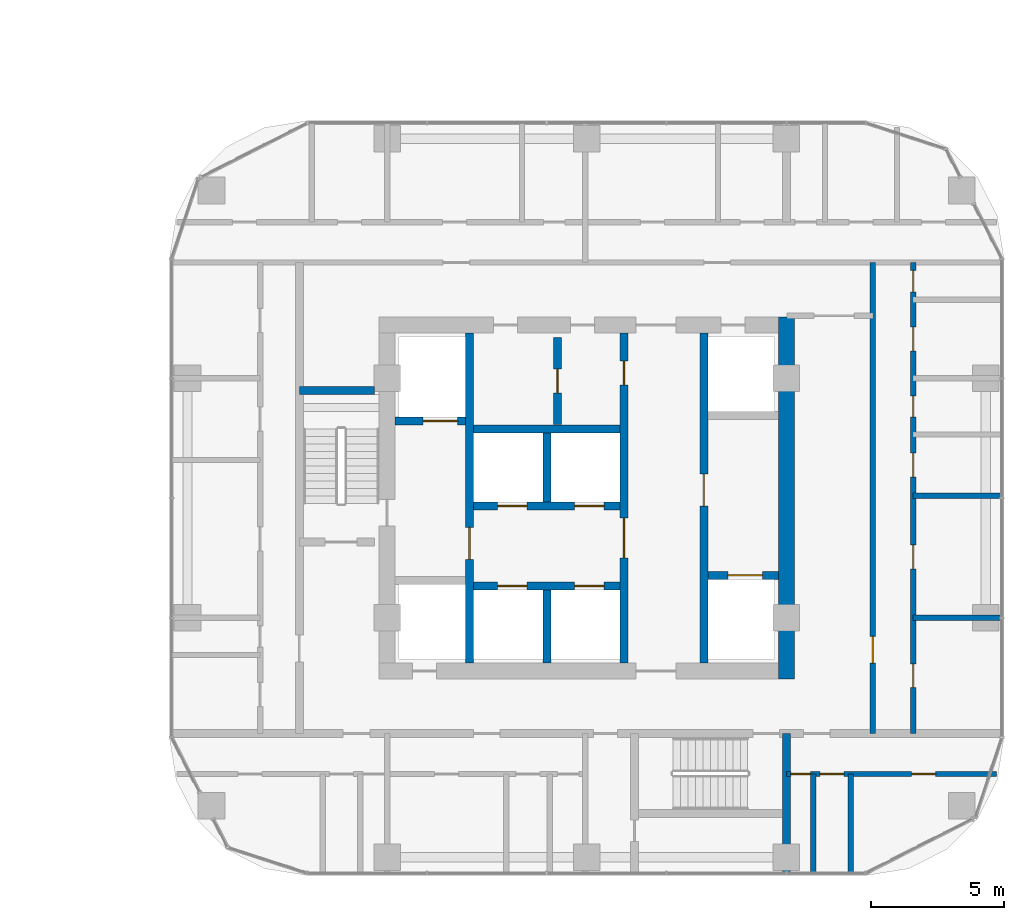
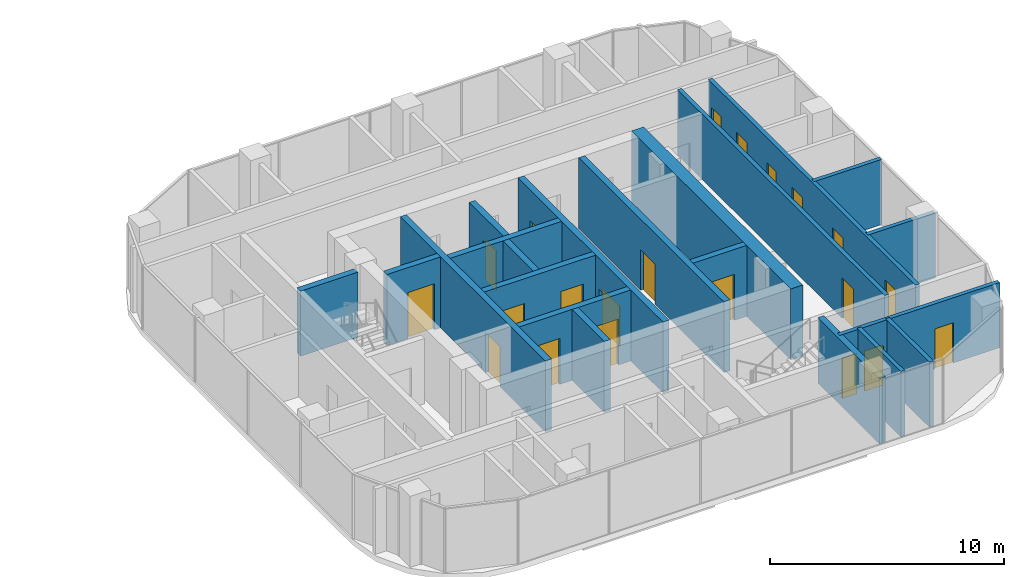
# One storey, part 22 of 31: 21 doors, 21 walls, 21 openings.
"""IFC4 building model written with IfcOpenShell, lengths in metres."""

from ifc_helpers import new_model, si_unit, direction, frame, frame_2d, origin, place, context, subcontext, project, spatial, rectangle, extrude, material, layer, layer_set, type_object, element, fill, save


model = new_model("IFC4")

# Units and contexts
model_context = context("Model", 3, precision=1e-05, world=origin(), true_north=direction((0.0, 1.0)))
body_context = subcontext(model_context, "Body", "Model", "MODEL_VIEW")
ifc_project = project(units=[si_unit("LENGTHUNIT", "METRE"), si_unit("AREAUNIT", "SQUARE_METRE"), si_unit("VOLUMEUNIT", "CUBIC_METRE"), si_unit("PLANEANGLEUNIT", "RADIAN"), si_unit("MASSUNIT", "GRAM", prefix="KILO")], contexts=[model_context])

# Site, building, storey
site_placement = place(None, origin())
site = spatial("IfcSite", under=ifc_project, at=site_placement, CompositionType="ELEMENT")
building_placement = place(site_placement, origin())
building = spatial("IfcBuilding", under=site, at=building_placement, Name="Ogive Portal Towers", CompositionType="ELEMENT")
storey_placement = place(building_placement, frame((0.0, 0.0, 40.89990234375)))
storey = spatial("IfcBuildingStorey", under=building, at=storey_placement, Name="L08", CompositionType="ELEMENT", Elevation=40.89990234375)

# Wall, opening, door
ifc_material_1 = material(Name="Concrete C60/75", Category="concrete")
ifc_layer_1 = layer(ifc_material_1, 0.300048828125)
ifc_layer_set_1 = layer_set([ifc_layer_1], Name="CORE WALL 300 C60")
wall_type_1 = type_object("IfcWallType", Name="CORE WALL 300 C60", PredefinedType="SHEAR", material=ifc_layer_set_1)
wall_1_placement = place(storey_placement, frame((132.10009765625, 24.800048828125, 0.0), z_axis=(0.0, 0.0, 1.0), x_axis=(0.0, 1.0, 0.0)))
wall_1 = element("IfcWall", 1, at=wall_1_placement, inside=storey, type_object=wall_type_1, Name="Tower B core wall BX1 L08", PredefinedType="SHEAR", context=body_context, shape_type="SweptSolid", body=[
    extrude(rectangle(XDim=12.39990234375, YDim=0.300048828125, at=frame_2d((6.199951171875, 0.0))), origin(), (0.0, 0.0, 1.0), 3.7001953125),
])
opening_1_placement = place(wall_1_placement, frame((3.89990234375, 0.0, 0.0)))
opening_1 = element("IfcOpeningElement", 2, at=opening_1_placement, cuts=wall_1, Name="Opening B01-044", PredefinedType="OPENING", context=body_context, shape_type="SweptSolid", body=[
    extrude(rectangle(XDim=1.199951171875, YDim=2.10009765625, at=frame_2d((0.60009765625, 1.050048828125))), frame((0.0, 0.16015625, 0.0), z_axis=(0.0, -1.0, 0.0), x_axis=(1.0, 0.0, 0.0)), (0.0, 0.0, 1.0), 0.320068359375),
])
ifc_material_2 = material(Name="Steel fire door", Category="steel")
door_type_1 = type_object("IfcDoorType", Name="DT-SWING-1200x2100-FD90S", OperationType="SINGLE_SWING_LEFT", PredefinedType="DOOR", material=ifc_material_2)
door_1_placement = place(opening_1_placement, origin())
door_1 = element("IfcDoor", 3, at=door_1_placement, inside=storey, type_object=door_type_1, Name="Door B01-044", OperationType="SINGLE_SWING_LEFT", OverallHeight=2.10009765625, OverallWidth=1.199951171875, PredefinedType="DOOR", context=body_context, shape_type="SweptSolid", body=[
    extrude(rectangle(XDim=1.199951171875, YDim=2.10009765625, at=frame_2d((0.60009765625, 1.050048828125))), frame((0.0, 0.02490234375, 0.0), z_axis=(0.0, -1.0, 0.0), x_axis=(1.0, 0.0, 0.0)), (0.0, 0.0, 1.0), 0.050048828125),
])
fill(opening_1, door_1)

# Wall, openings, doors
wall_2_placement = place(storey_placement, frame((137.89990234375, 24.800048828125, 0.0), z_axis=(0.0, 0.0, 1.0), x_axis=(0.0, 1.0, 0.0)))
wall_2 = element("IfcWall", 4, at=wall_2_placement, inside=storey, type_object=wall_type_1, Name="Tower B core wall BX2 L08", PredefinedType="SHEAR", context=body_context, shape_type="SweptSolid", body=[
    extrude(rectangle(XDim=12.39990234375, YDim=0.300048828125, at=frame_2d((6.199951171875, 0.0))), origin(), (0.0, 0.0, 1.0), 3.7001953125),
])
opening_2_placement = place(wall_2_placement, frame((3.949951171875, 0.0, 0.0)))
opening_2 = element("IfcOpeningElement", 5, at=opening_2_placement, cuts=wall_2, Name="Opening B01-043", PredefinedType="OPENING", context=body_context, shape_type="SweptSolid", body=[
    extrude(rectangle(XDim=1.5, YDim=2.10009765625, at=frame_2d((0.75, 1.050048828125))), frame((0.0, 0.16015625, 0.0), z_axis=(0.0, -1.0, 0.0), x_axis=(1.0, 0.0, 0.0)), (0.0, 0.0, 1.0), 0.320068359375),
])
opening_3_placement = place(wall_2_placement, frame((10.449951171875, 0.0, 0.0)))
opening_3 = element("IfcOpeningElement", 6, at=opening_3_placement, cuts=wall_2, Name="Opening B01-059", PredefinedType="OPENING", context=body_context, shape_type="SweptSolid", body=[
    extrude(rectangle(XDim=0.89990234375, YDim=2.10009765625, at=frame_2d((0.449951171875, 1.050048828125))), frame((0.0, 0.16015625, 0.0), z_axis=(0.0, -1.0, 0.0), x_axis=(1.0, 0.0, 0.0)), (0.0, 0.0, 1.0), 0.320068359375),
])
door_type_2 = type_object("IfcDoorType", Name="DT-SWING-1500x2100-FD90S", OperationType="SINGLE_SWING_LEFT", PredefinedType="DOOR", material=ifc_material_2)
door_2_placement = place(opening_2_placement, origin())
door_2 = element("IfcDoor", 7, at=door_2_placement, inside=storey, type_object=door_type_2, Name="Door B01-043", OperationType="SINGLE_SWING_RIGHT", OverallHeight=2.10009765625, OverallWidth=1.5, PredefinedType="DOOR", context=body_context, shape_type="SweptSolid", body=[
    extrude(rectangle(XDim=1.5, YDim=2.10009765625, at=frame_2d((0.75, 1.050048828125))), frame((0.0, 0.02490234375, 0.0), z_axis=(0.0, -1.0, 0.0), x_axis=(1.0, 0.0, 0.0)), (0.0, 0.0, 1.0), 0.050048828125),
])
fill(opening_2, door_2)
door_type_3 = type_object("IfcDoorType", Name="DT-SWING-900x2100-FD90S", OperationType="SINGLE_SWING_LEFT", PredefinedType="DOOR", material=ifc_material_2)
door_3_placement = place(opening_3_placement, origin())
door_3 = element("IfcDoor", 8, at=door_3_placement, inside=storey, type_object=door_type_3, Name="Door B01-059", OperationType="SINGLE_SWING_RIGHT", OverallHeight=2.10009765625, OverallWidth=0.89990234375, PredefinedType="DOOR", context=body_context, shape_type="SweptSolid", body=[
    extrude(rectangle(XDim=0.89990234375, YDim=2.10009765625, at=frame_2d((0.449951171875, 1.050048828125))), frame((0.0, 0.02490234375, 0.0), z_axis=(0.0, -1.0, 0.0), x_axis=(1.0, 0.0, 0.0)), (0.0, 0.0, 1.0), 0.050048828125),
])
fill(opening_3, door_3)

# Wall, opening, door
wall_3_placement = place(storey_placement, frame((140.89990234375, 24.800048828125, 0.0), z_axis=(0.0, 0.0, 1.0), x_axis=(0.0, 1.0, 0.0)))
wall_3 = element("IfcWall", 9, at=wall_3_placement, inside=storey, type_object=wall_type_1, Name="Tower B core wall BX3 L08", PredefinedType="SHEAR", context=body_context, shape_type="SweptSolid", body=[
    extrude(rectangle(XDim=12.39990234375, YDim=0.300048828125, at=frame_2d((6.199951171875, 0.0))), origin(), (0.0, 0.0, 1.0), 3.7001953125),
])
opening_4_placement = place(wall_3_placement, frame((5.89990234375, 0.0, 0.0)))
opening_4 = element("IfcOpeningElement", 10, at=opening_4_placement, cuts=wall_3, Name="Opening B01-045", PredefinedType="OPENING", context=body_context, shape_type="SweptSolid", body=[
    extrude(rectangle(XDim=1.199951171875, YDim=2.10009765625, at=frame_2d((0.60009765625, 1.050048828125))), frame((0.0, 0.16015625, 0.0), z_axis=(0.0, -1.0, 0.0), x_axis=(1.0, 0.0, 0.0)), (0.0, 0.0, 1.0), 0.320068359375),
])
door_4_placement = place(opening_4_placement, origin())
door_4 = element("IfcDoor", 11, at=door_4_placement, inside=storey, type_object=door_type_1, Name="Door B01-045", OperationType="SINGLE_SWING_RIGHT", OverallHeight=2.10009765625, OverallWidth=1.199951171875, PredefinedType="DOOR", context=body_context, shape_type="SweptSolid", body=[
    extrude(rectangle(XDim=1.199951171875, YDim=2.10009765625, at=frame_2d((0.60009765625, 1.050048828125))), frame((0.0, 0.02490234375, 0.0), z_axis=(0.0, -1.0, 0.0), x_axis=(1.0, 0.0, 0.0)), (0.0, 0.0, 1.0), 0.050048828125),
])
fill(opening_4, door_4)

# Walls
wall_4_placement = place(storey_placement, frame((135.0, 24.800048828125, 0.0), z_axis=(0.0, 0.0, 1.0), x_axis=(0.0, 1.0, 0.0)))
element("IfcWall", 12, at=wall_4_placement, inside=storey, type_object=wall_type_1, Name="Tower B core wall BX4 L08", PredefinedType="SHEAR", context=body_context, shape_type="SweptSolid", body=[
    extrude(rectangle(XDim=2.75, YDim=0.300048828125, at=frame_2d((1.375, 0.0))), origin(), (0.0, 0.0, 1.0), 3.7001953125),
])
wall_5_placement = place(storey_placement, frame((135.0, 30.85009765625, 0.0), z_axis=(0.0, 0.0, 1.0), x_axis=(0.0, 1.0, 0.0)))
element("IfcWall", 13, at=wall_5_placement, inside=storey, type_object=wall_type_1, Name="Tower B core wall BX5 L08", PredefinedType="SHEAR", context=body_context, shape_type="SweptSolid", body=[
    extrude(rectangle(XDim=2.599853515625, YDim=0.300048828125, at=frame_2d((1.2998046875, 0.0))), origin(), (0.0, 0.0, 1.0), 3.7001953125),
])

# Wall, openings, doors
wall_6_placement = place(storey_placement, frame((132.25, 27.699951171875, 0.0), z_axis=(0.0, 0.0, 1.0), x_axis=(1.0, 0.0, 0.0)))
wall_6 = element("IfcWall", 14, at=wall_6_placement, inside=storey, type_object=wall_type_1, Name="Tower B core wall BY1 L08", PredefinedType="SHEAR", context=body_context, shape_type="SweptSolid", body=[
    extrude(rectangle(XDim=5.5, YDim=0.300048828125, at=frame_2d((2.75, 0.0))), origin(), (0.0, 0.0, 1.0), 3.7001953125),
])
opening_5_placement = place(wall_6_placement, frame((0.89990234375, 0.0, 0.0)))
opening_5 = element("IfcOpeningElement", 15, at=opening_5_placement, cuts=wall_6, Name="Opening B01-051", PredefinedType="OPENING", context=body_context, shape_type="SweptSolid", body=[
    extrude(rectangle(XDim=1.10009765625, YDim=2.39990234375, at=frame_2d((0.550048828125, 1.199951171875))), frame((0.0, 0.16015625, 0.0), z_axis=(0.0, -1.0, 0.0), x_axis=(1.0, 0.0, 0.0)), (0.0, 0.0, 1.0), 0.320068359375),
])
opening_6_placement = place(wall_6_placement, frame((3.800048828125, 0.0, 0.0)))
opening_6 = element("IfcOpeningElement", 16, at=opening_6_placement, cuts=wall_6, Name="Opening B01-052", PredefinedType="OPENING", context=body_context, shape_type="SweptSolid", body=[
    extrude(rectangle(XDim=1.10009765625, YDim=2.39990234375, at=frame_2d((0.550048828125, 1.199951171875))), frame((0.0, 0.16015625, 0.0), z_axis=(0.0, -1.0, 0.0), x_axis=(1.0, 0.0, 0.0)), (0.0, 0.0, 1.0), 0.320068359375),
])
ifc_material_3 = material(Name="Stainless steel", Category="steel")
door_type_4 = type_object("IfcDoorType", Name="DT-LD-1100x2400", OperationType="SLIDING_TO_LEFT", PredefinedType="DOOR", material=ifc_material_3)
door_5_placement = place(opening_5_placement, origin())
door_5 = element("IfcDoor", 17, at=door_5_placement, inside=storey, type_object=door_type_4, Name="Door B01-051", OperationType="SLIDING_TO_LEFT", OverallHeight=2.39990234375, OverallWidth=1.10009765625, PredefinedType="DOOR", context=body_context, shape_type="SweptSolid", body=[
    extrude(rectangle(XDim=1.10009765625, YDim=2.39990234375, at=frame_2d((0.550048828125, 1.199951171875))), frame((0.0, 0.02490234375, 0.0), z_axis=(0.0, -1.0, 0.0), x_axis=(1.0, 0.0, 0.0)), (0.0, 0.0, 1.0), 0.050048828125),
])
fill(opening_5, door_5)
door_6_placement = place(opening_6_placement, origin())
door_6 = element("IfcDoor", 18, at=door_6_placement, inside=storey, type_object=door_type_4, Name="Door B01-052", OperationType="SLIDING_TO_LEFT", OverallHeight=2.39990234375, OverallWidth=1.10009765625, PredefinedType="DOOR", context=body_context, shape_type="SweptSolid", body=[
    extrude(rectangle(XDim=1.10009765625, YDim=2.39990234375, at=frame_2d((0.550048828125, 1.199951171875))), frame((0.0, 0.02490234375, 0.0), z_axis=(0.0, -1.0, 0.0), x_axis=(1.0, 0.0, 0.0)), (0.0, 0.0, 1.0), 0.050048828125),
])
fill(opening_6, door_6)

wall_7_placement = place(storey_placement, frame((132.25, 30.699951171875, 0.0), z_axis=(0.0, 0.0, 1.0), x_axis=(1.0, 0.0, 0.0)))
wall_7 = element("IfcWall", 19, at=wall_7_placement, inside=storey, type_object=wall_type_1, Name="Tower B core wall BY2 L08", PredefinedType="SHEAR", context=body_context, shape_type="SweptSolid", body=[
    extrude(rectangle(XDim=5.5, YDim=0.300048828125, at=frame_2d((2.75, 0.0))), origin(), (0.0, 0.0, 1.0), 3.7001953125),
])
opening_7_placement = place(wall_7_placement, frame((0.89990234375, 0.0, 0.0)))
opening_7 = element("IfcOpeningElement", 20, at=opening_7_placement, cuts=wall_7, Name="Opening B01-053", PredefinedType="OPENING", context=body_context, shape_type="SweptSolid", body=[
    extrude(rectangle(XDim=1.10009765625, YDim=2.39990234375, at=frame_2d((0.550048828125, 1.199951171875))), frame((0.0, 0.16015625, 0.0), z_axis=(0.0, -1.0, 0.0), x_axis=(1.0, 0.0, 0.0)), (0.0, 0.0, 1.0), 0.320068359375),
])
opening_8_placement = place(wall_7_placement, frame((3.800048828125, 0.0, 0.0)))
opening_8 = element("IfcOpeningElement", 21, at=opening_8_placement, cuts=wall_7, Name="Opening B01-054", PredefinedType="OPENING", context=body_context, shape_type="SweptSolid", body=[
    extrude(rectangle(XDim=1.10009765625, YDim=2.39990234375, at=frame_2d((0.550048828125, 1.199951171875))), frame((0.0, 0.16015625, 0.0), z_axis=(0.0, -1.0, 0.0), x_axis=(1.0, 0.0, 0.0)), (0.0, 0.0, 1.0), 0.320068359375),
])
door_7_placement = place(opening_7_placement, origin())
door_7 = element("IfcDoor", 22, at=door_7_placement, inside=storey, type_object=door_type_4, Name="Door B01-053", OperationType="SLIDING_TO_LEFT", OverallHeight=2.39990234375, OverallWidth=1.10009765625, PredefinedType="DOOR", context=body_context, shape_type="SweptSolid", body=[
    extrude(rectangle(XDim=1.10009765625, YDim=2.39990234375, at=frame_2d((0.550048828125, 1.199951171875))), frame((0.0, 0.02490234375, 0.0), z_axis=(0.0, -1.0, 0.0), x_axis=(1.0, 0.0, 0.0)), (0.0, 0.0, 1.0), 0.050048828125),
])
fill(opening_7, door_7)
door_8_placement = place(opening_8_placement, origin())
door_8 = element("IfcDoor", 23, at=door_8_placement, inside=storey, type_object=door_type_4, Name="Door B01-054", OperationType="SLIDING_TO_LEFT", OverallHeight=2.39990234375, OverallWidth=1.10009765625, PredefinedType="DOOR", context=body_context, shape_type="SweptSolid", body=[
    extrude(rectangle(XDim=1.10009765625, YDim=2.39990234375, at=frame_2d((0.550048828125, 1.199951171875))), frame((0.0, 0.02490234375, 0.0), z_axis=(0.0, -1.0, 0.0), x_axis=(1.0, 0.0, 0.0)), (0.0, 0.0, 1.0), 0.050048828125),
])
fill(opening_8, door_8)

# Wall
wall_8_placement = place(storey_placement, frame((132.25, 33.60009765625, 0.0), z_axis=(0.0, 0.0, 1.0), x_axis=(1.0, 0.0, 0.0)))
element("IfcWall", 24, at=wall_8_placement, inside=storey, type_object=wall_type_1, Name="Tower B core wall BY3 L08", PredefinedType="SHEAR", context=body_context, shape_type="SweptSolid", body=[
    extrude(rectangle(XDim=5.5, YDim=0.300048828125, at=frame_2d((2.75, 0.0))), origin(), (0.0, 0.0, 1.0), 3.7001953125),
])

# Wall, opening, door
wall_9_placement = place(storey_placement, frame((129.300048828125, 33.89990234375, 0.0), z_axis=(0.0, 0.0, 1.0), x_axis=(1.0, 0.0, 0.0)))
wall_9 = element("IfcWall", 25, at=wall_9_placement, inside=storey, type_object=wall_type_1, Name="Tower B core wall BY5 L08", PredefinedType="SHEAR", context=body_context, shape_type="SweptSolid", body=[
    extrude(rectangle(XDim=2.64990234375, YDim=0.300048828125, at=frame_2d((1.324951171875, 0.0))), origin(), (0.0, 0.0, 1.0), 3.7001953125),
])
opening_9_placement = place(wall_9_placement, frame((1.050048828125, 0.0, 0.0)))
opening_9 = element("IfcOpeningElement", 26, at=opening_9_placement, cuts=wall_9, Name="Opening B01-055", PredefinedType="OPENING", context=body_context, shape_type="SweptSolid", body=[
    extrude(rectangle(XDim=1.300048828125, YDim=2.39990234375, at=frame_2d((0.64990234375, 1.199951171875))), frame((0.0, 0.16015625, 0.0), z_axis=(0.0, -1.0, 0.0), x_axis=(1.0, 0.0, 0.0)), (0.0, 0.0, 1.0), 0.320068359375),
])
door_type_5 = type_object("IfcDoorType", Name="DT-LD-1300x2400", OperationType="SLIDING_TO_LEFT", PredefinedType="DOOR", material=ifc_material_3)
door_9_placement = place(opening_9_placement, origin())
door_9 = element("IfcDoor", 27, at=door_9_placement, inside=storey, type_object=door_type_5, Name="Door B01-055", OperationType="SLIDING_TO_LEFT", OverallHeight=2.39990234375, OverallWidth=1.300048828125, PredefinedType="DOOR", context=body_context, shape_type="SweptSolid", body=[
    extrude(rectangle(XDim=1.300048828125, YDim=2.39990234375, at=frame_2d((0.64990234375, 1.199951171875))), frame((0.0, 0.02490234375, 0.0), z_axis=(0.0, -1.0, 0.0), x_axis=(1.0, 0.0, 0.0)), (0.0, 0.0, 1.0), 0.050048828125),
])
fill(opening_9, door_9)

wall_10_placement = place(storey_placement, frame((141.050048828125, 28.10009765625, 0.0), z_axis=(0.0, 0.0, 1.0), x_axis=(1.0, 0.0, 0.0)))
wall_10 = element("IfcWall", 28, at=wall_10_placement, inside=storey, type_object=wall_type_1, Name="Tower B core wall BY6 L08", PredefinedType="SHEAR", context=body_context, shape_type="SweptSolid", body=[
    extrude(rectangle(XDim=2.64990234375, YDim=0.300048828125, at=frame_2d((1.324951171875, 0.0))), origin(), (0.0, 0.0, 1.0), 3.7001953125),
])
opening_10_placement = place(wall_10_placement, frame((0.75, 0.0, 0.0)))
opening_10 = element("IfcOpeningElement", 29, at=opening_10_placement, cuts=wall_10, Name="Opening B01-056", PredefinedType="OPENING", context=body_context, shape_type="SweptSolid", body=[
    extrude(rectangle(XDim=1.300048828125, YDim=2.39990234375, at=frame_2d((0.64990234375, 1.199951171875))), frame((0.0, 0.16015625, 0.0), z_axis=(0.0, -1.0, 0.0), x_axis=(1.0, 0.0, 0.0)), (0.0, 0.0, 1.0), 0.320068359375),
])
door_10_placement = place(opening_10_placement, origin())
door_10 = element("IfcDoor", 30, at=door_10_placement, inside=storey, type_object=door_type_5, Name="Door B01-056", OperationType="SLIDING_TO_LEFT", OverallHeight=2.39990234375, OverallWidth=1.300048828125, PredefinedType="DOOR", context=body_context, shape_type="SweptSolid", body=[
    extrude(rectangle(XDim=1.300048828125, YDim=2.39990234375, at=frame_2d((0.64990234375, 1.199951171875))), frame((0.0, 0.02490234375, 0.0), z_axis=(0.0, -1.0, 0.0), x_axis=(1.0, 0.0, 0.0)), (0.0, 0.0, 1.0), 0.050048828125),
])
fill(opening_10, door_10)

# Walls
ifc_layer_2 = layer(ifc_material_1, 0.60009765625)
ifc_layer_set_2 = layer_set([ifc_layer_2], Name="CORE WALL 600 C60")
wall_type_2 = type_object("IfcWallType", Name="CORE WALL 600 C60", PredefinedType="SHEAR", material=ifc_layer_set_2)
wall_11_placement = place(storey_placement, frame((144.0, 24.199951171875, 0.0), z_axis=(0.0, 0.0, 1.0), x_axis=(0.0, 1.0, 0.0)))
element("IfcWall", 31, at=wall_11_placement, inside=storey, type_object=wall_type_2, Name="Tower B core wall BE L08", PredefinedType="SHEAR", context=body_context, shape_type="SweptSolid", body=[
    extrude(rectangle(XDim=13.60009765625, YDim=0.60009765625, at=frame_2d((6.800048828125, 0.0))), origin(), (0.0, 0.0, 1.0), 3.7001953125),
])
ifc_material_4 = material(Name="Concrete C50/60", Category="concrete")
ifc_layer_3 = layer(ifc_material_4, 0.300048828125)
ifc_layer_set_3 = layer_set([ifc_layer_3], Name="STAIR WALL 300 C50")
wall_type_3 = type_object("IfcWallType", Name="STAIR WALL 300 C50", PredefinedType="SHEAR", material=ifc_layer_set_3)
wall_12_placement = place(storey_placement, frame((125.699951171875, 35.050048828125, 0.0), z_axis=(0.0, 0.0, 1.0), x_axis=(1.0, 0.0, 0.0)))
element("IfcWall", 32, at=wall_12_placement, inside=storey, type_object=wall_type_3, Name="Stair wall ST-B1 L08", PredefinedType="SHEAR", context=body_context, shape_type="SweptSolid", body=[
    extrude(rectangle(XDim=2.830078125, YDim=0.300048828125, at=frame_2d((1.4150390625, 0.0))), origin(), (0.0, 0.0, 1.0), 3.400146484375),
])
wall_13_placement = place(storey_placement, frame((144.0, 16.889892578125, 0.0), z_axis=(0.0, 0.0, 1.0), x_axis=(0.0, 1.0, 0.0)))
element("IfcWall", 33, at=wall_13_placement, inside=storey, type_object=wall_type_3, Name="Stair wall ST-B2 L08", PredefinedType="SHEAR", context=body_context, shape_type="SweptSolid", body=[
    extrude(rectangle(XDim=5.260009765625, YDim=0.300048828125, at=frame_2d((2.6298828125, 0.0))), origin(), (0.0, 0.0, 1.0), 3.400146484375),
])

# Wall, openings, doors
ifc_material_5 = material(Name="Gypsum board partition on steel studs", Category="steel")
ifc_layer_4 = layer(ifc_material_5, 0.199951171875)
ifc_layer_set_4 = layer_set([ifc_layer_4], Name="WT-PART-200-EI 60")
wall_type_4 = type_object("IfcWallType", Name="WT-PART-200-EI 60", PredefinedType="PARTITIONING", material=ifc_layer_set_4)
wall_14_placement = place(storey_placement, frame((144.0, 20.6298828125, 0.0), z_axis=(0.0, 0.0, 1.0), x_axis=(1.0, 0.0, 0.0)))
wall_14 = element("IfcWall", 34, at=wall_14_placement, inside=storey, type_object=wall_type_4, Name="Wall L08:w003", PredefinedType="PARTITIONING", context=body_context, shape_type="SweptSolid", body=[
    extrude(rectangle(XDim=7.89208984375, YDim=0.199951171875, at=frame_2d((3.946044921875, 0.0))), origin(), (0.0, 0.0, 1.0), 3.400146484375),
])
opening_11_placement = place(wall_14_placement, frame((0.169921875, 0.0, 0.0)))
opening_11 = element("IfcOpeningElement", 35, at=opening_11_placement, cuts=wall_14, Name="Opening B01-025", PredefinedType="OPENING", context=body_context, shape_type="SweptSolid", body=[
    extrude(rectangle(XDim=0.73388671875, YDim=2.10009765625, at=frame_2d((0.366943359375, 1.050048828125))), frame((0.0, 0.10986328125, 0.0), z_axis=(0.0, -1.0, 0.0), x_axis=(1.0, 0.0, 0.0)), (0.0, 0.0, 1.0), 0.219970703125),
])
opening_12_placement = place(wall_14_placement, frame((1.264892578125, 0.0, 0.0)))
opening_12 = element("IfcOpeningElement", 36, at=opening_12_placement, cuts=wall_14, Name="Opening B01-026", PredefinedType="OPENING", context=body_context, shape_type="SweptSolid", body=[
    extrude(rectangle(XDim=0.89990234375, YDim=2.10009765625, at=frame_2d((0.449951171875, 1.050048828125))), frame((0.0, 0.10986328125, 0.0), z_axis=(0.0, -1.0, 0.0), x_axis=(1.0, 0.0, 0.0)), (0.0, 0.0, 1.0), 0.219970703125),
])
opening_13_placement = place(wall_14_placement, frame((4.7080078125, 0.0, 0.0)))
opening_13 = element("IfcOpeningElement", 37, at=opening_13_placement, cuts=wall_14, Name="Opening B01-027", PredefinedType="OPENING", context=body_context, shape_type="SweptSolid", body=[
    extrude(rectangle(XDim=0.89990234375, YDim=2.10009765625, at=frame_2d((0.449951171875, 1.050048828125))), frame((0.0, 0.10986328125, 0.0), z_axis=(0.0, -1.0, 0.0), x_axis=(1.0, 0.0, 0.0)), (0.0, 0.0, 1.0), 0.219970703125),
])
door_type_6 = type_object("IfcDoorType", Name="DT-SWING-734x2100-FD60S", OperationType="SINGLE_SWING_LEFT", PredefinedType="DOOR", material=ifc_material_2)
door_11_placement = place(opening_11_placement, origin())
door_11 = element("IfcDoor", 38, at=door_11_placement, inside=storey, type_object=door_type_6, Name="Door B01-025", OperationType="SINGLE_SWING_LEFT", OverallHeight=2.10009765625, OverallWidth=0.73388671875, PredefinedType="DOOR", context=body_context, shape_type="SweptSolid", body=[
    extrude(rectangle(XDim=0.73388671875, YDim=2.10009765625, at=frame_2d((0.366943359375, 1.050048828125))), frame((0.0, 0.02490234375, 0.0), z_axis=(0.0, -1.0, 0.0), x_axis=(1.0, 0.0, 0.0)), (0.0, 0.0, 1.0), 0.050048828125),
])
fill(opening_11, door_11)
door_type_7 = type_object("IfcDoorType", Name="DT-SWING-900x2100-FD60S", OperationType="SINGLE_SWING_LEFT", PredefinedType="DOOR", material=ifc_material_2)
door_12_placement = place(opening_12_placement, origin())
door_12 = element("IfcDoor", 39, at=door_12_placement, inside=storey, type_object=door_type_7, Name="Door B01-026", OperationType="SINGLE_SWING_RIGHT", OverallHeight=2.10009765625, OverallWidth=0.89990234375, PredefinedType="DOOR", context=body_context, shape_type="SweptSolid", body=[
    extrude(rectangle(XDim=0.89990234375, YDim=2.10009765625, at=frame_2d((0.449951171875, 1.050048828125))), frame((0.0, 0.02490234375, 0.0), z_axis=(0.0, -1.0, 0.0), x_axis=(1.0, 0.0, 0.0)), (0.0, 0.0, 1.0), 0.050048828125),
])
fill(opening_12, door_12)
door_13_placement = place(opening_13_placement, origin())
door_13 = element("IfcDoor", 40, at=door_13_placement, inside=storey, type_object=door_type_7, Name="Door B01-027", OperationType="SINGLE_SWING_LEFT", OverallHeight=2.10009765625, OverallWidth=0.89990234375, PredefinedType="DOOR", context=body_context, shape_type="SweptSolid", body=[
    extrude(rectangle(XDim=0.89990234375, YDim=2.10009765625, at=frame_2d((0.449951171875, 1.050048828125))), frame((0.0, 0.02490234375, 0.0), z_axis=(0.0, -1.0, 0.0), x_axis=(1.0, 0.0, 0.0)), (0.0, 0.0, 1.0), 0.050048828125),
])
fill(opening_13, door_13)

# Walls
for number, where, z_axis, x_axis, name in (
    (41, (148.77001953125, 26.5, 0.0), (0.0, 0.0, 1.0), (1.0, 0.0, 0.0), "Wall L08:w009"),
    (42, (148.77001953125, 31.091064453125, 0.0), (0.0, 0.0, 1.0), (1.0, 0.0, 0.0), "Wall L08:w011"),
):
    element("IfcWall", number, at=place(storey_placement, frame(where, z_axis=z_axis, x_axis=x_axis)), inside=storey, type_object=wall_type_4, Name=name, PredefinedType="PARTITIONING", context=body_context, shape_type="SweptSolid", body=[
        extrude(rectangle(XDim=3.340087890625, YDim=0.199951171875, at=frame_2d((1.669921875, 0.0))), origin(), (0.0, 0.0, 1.0), 3.400146484375),
    ])
for number, where, z_axis, x_axis, name in (
    (43, (145.009033203125, 16.889892578125, 0.0), (0.0, 0.0, 1.0), (0.0, 1.0, 0.0), "Wall L08:w043"),
    (44, (146.4208984375, 16.889892578125, 0.0), (0.0, 0.0, 1.0), (0.0, 1.0, 0.0), "Wall L08:w045"),
):
    element("IfcWall", number, at=place(storey_placement, frame(where, z_axis=z_axis, x_axis=x_axis)), inside=storey, type_object=wall_type_4, Name=name, PredefinedType="PARTITIONING", context=body_context, shape_type="SweptSolid", body=[
        extrude(rectangle(XDim=3.739990234375, YDim=0.199951171875, at=frame_2d((1.8701171875, 0.0))), origin(), (0.0, 0.0, 1.0), 3.400146484375),
    ])

# Wall, opening, door
wall_15_placement = place(storey_placement, frame((147.25, 22.14990234375, 0.0), z_axis=(0.0, 0.0, 1.0), x_axis=(0.0, 1.0, 0.0)))
wall_15 = element("IfcWall", 45, at=wall_15_placement, inside=storey, type_object=wall_type_4, Name="Wall L08:w046", PredefinedType="PARTITIONING", context=body_context, shape_type="SweptSolid", body=[
    extrude(rectangle(XDim=17.7001953125, YDim=0.199951171875, at=frame_2d((8.85009765625, 0.0))), origin(), (0.0, 0.0, 1.0), 3.400146484375),
])
opening_14_placement = place(wall_15_placement, frame((2.64990234375, 0.0, 0.0)))
opening_14 = element("IfcOpeningElement", 46, at=opening_14_placement, cuts=wall_15, Name="Opening B01-036", PredefinedType="OPENING", context=body_context, shape_type="SweptSolid", body=[
    extrude(rectangle(XDim=1.0, YDim=2.10009765625, at=frame_2d((0.5, 1.050048828125))), frame((0.0, 0.10986328125, 0.0), z_axis=(0.0, -1.0, 0.0), x_axis=(1.0, 0.0, 0.0)), (0.0, 0.0, 1.0), 0.219970703125),
])
door_type_8 = type_object("IfcDoorType", Name="DT-SWING-1000x2100-FD60S", OperationType="SINGLE_SWING_LEFT", PredefinedType="DOOR", material=ifc_material_2)
door_14_placement = place(opening_14_placement, origin())
door_14 = element("IfcDoor", 47, at=door_14_placement, inside=storey, type_object=door_type_8, Name="Door B01-036", OperationType="SINGLE_SWING_RIGHT", OverallHeight=2.10009765625, OverallWidth=1.0, PredefinedType="DOOR", context=body_context, shape_type="SweptSolid", body=[
    extrude(rectangle(XDim=1.0, YDim=2.10009765625, at=frame_2d((0.5, 1.050048828125))), frame((0.0, 0.02490234375, 0.0), z_axis=(0.0, -1.0, 0.0), x_axis=(1.0, 0.0, 0.0)), (0.0, 0.0, 1.0), 0.050048828125),
])
fill(opening_14, door_14)

# Wall, openings, doors
wall_16_placement = place(storey_placement, frame((148.77001953125, 22.14990234375, 0.0), z_axis=(0.0, 0.0, 1.0), x_axis=(0.0, 1.0, 0.0)))
wall_16 = element("IfcWall", 48, at=wall_16_placement, inside=storey, type_object=wall_type_4, Name="Wall L08:w048", PredefinedType="PARTITIONING", context=body_context, shape_type="SweptSolid", body=[
    extrude(rectangle(XDim=17.7001953125, YDim=0.199951171875, at=frame_2d((8.85009765625, 0.0))), origin(), (0.0, 0.0, 1.0), 3.400146484375),
])
opening_15_placement = place(wall_16_placement, frame((1.72509765625, 0.0, 0.0)))
opening_15 = element("IfcOpeningElement", 49, at=opening_15_placement, cuts=wall_16, Name="Opening B01-037", PredefinedType="OPENING", context=body_context, shape_type="SweptSolid", body=[
    extrude(rectangle(XDim=0.89990234375, YDim=2.10009765625, at=frame_2d((0.449951171875, 1.050048828125))), frame((0.0, 0.10986328125, 0.0), z_axis=(0.0, -1.0, 0.0), x_axis=(1.0, 0.0, 0.0)), (0.0, 0.0, 1.0), 0.219970703125),
])
opening_16_placement = place(wall_16_placement, frame((6.195068359375, 0.0, 0.0)))
opening_16 = element("IfcOpeningElement", 50, at=opening_16_placement, cuts=wall_16, Name="Opening B01-038", PredefinedType="OPENING", context=body_context, shape_type="SweptSolid", body=[
    extrude(rectangle(XDim=0.89990234375, YDim=2.10009765625, at=frame_2d((0.449951171875, 1.050048828125))), frame((0.0, 0.10986328125, 0.0), z_axis=(0.0, -1.0, 0.0), x_axis=(1.0, 0.0, 0.0)), (0.0, 0.0, 1.0), 0.219970703125),
])
opening_17_placement = place(wall_16_placement, frame((9.64111328125, 0.0, 0.0)))
opening_17 = element("IfcOpeningElement", 51, at=opening_17_placement, cuts=wall_16, Name="Opening B01-039", PredefinedType="OPENING", context=body_context, shape_type="SweptSolid", body=[
    extrude(rectangle(XDim=0.89990234375, YDim=2.10009765625, at=frame_2d((0.449951171875, 1.050048828125))), frame((0.0, 0.10986328125, 0.0), z_axis=(0.0, -1.0, 0.0), x_axis=(1.0, 0.0, 0.0)), (0.0, 0.0, 1.0), 0.219970703125),
])
opening_18_placement = place(wall_16_placement, frame((11.89501953125, 0.0, 0.0)))
opening_18 = element("IfcOpeningElement", 52, at=opening_18_placement, cuts=wall_16, Name="Opening B01-040", PredefinedType="OPENING", context=body_context, shape_type="SweptSolid", body=[
    extrude(rectangle(XDim=0.800048828125, YDim=2.10009765625, at=frame_2d((0.39990234375, 1.050048828125))), frame((0.0, 0.10986328125, 0.0), z_axis=(0.0, -1.0, 0.0), x_axis=(1.0, 0.0, 0.0)), (0.0, 0.0, 1.0), 0.219970703125),
])
opening_19_placement = place(wall_16_placement, frame((14.3779296875, 0.0, 0.0)))
opening_19 = element("IfcOpeningElement", 53, at=opening_19_placement, cuts=wall_16, Name="Opening B01-041", PredefinedType="OPENING", context=body_context, shape_type="SweptSolid", body=[
    extrude(rectangle(XDim=0.89990234375, YDim=2.10009765625, at=frame_2d((0.449951171875, 1.050048828125))), frame((0.0, 0.10986328125, 0.0), z_axis=(0.0, -1.0, 0.0), x_axis=(1.0, 0.0, 0.0)), (0.0, 0.0, 1.0), 0.219970703125),
])
opening_20_placement = place(wall_16_placement, frame((16.60302734375, 0.0, 0.0)))
opening_20 = element("IfcOpeningElement", 54, at=opening_20_placement, cuts=wall_16, Name="Opening B01-042", PredefinedType="OPENING", context=body_context, shape_type="SweptSolid", body=[
    extrude(rectangle(XDim=0.800048828125, YDim=2.10009765625, at=frame_2d((0.39990234375, 1.050048828125))), frame((0.0, 0.10986328125, 0.0), z_axis=(0.0, -1.0, 0.0), x_axis=(1.0, 0.0, 0.0)), (0.0, 0.0, 1.0), 0.219970703125),
])
door_type_9 = type_object("IfcDoorType", Name="DT-SWING-800x2100-FD60S", OperationType="SINGLE_SWING_LEFT", PredefinedType="DOOR", material=ifc_material_2)
door_15_placement = place(opening_18_placement, origin())
door_15 = element("IfcDoor", 55, at=door_15_placement, inside=storey, type_object=door_type_9, Name="Door B01-040", OperationType="SINGLE_SWING_RIGHT", OverallHeight=2.10009765625, OverallWidth=0.800048828125, PredefinedType="DOOR", context=body_context, shape_type="SweptSolid", body=[
    extrude(rectangle(XDim=0.800048828125, YDim=2.10009765625, at=frame_2d((0.39990234375, 1.050048828125))), frame((0.0, 0.02490234375, 0.0), z_axis=(0.0, -1.0, 0.0), x_axis=(1.0, 0.0, 0.0)), (0.0, 0.0, 1.0), 0.050048828125),
])
fill(opening_18, door_15)
door_16_placement = place(opening_20_placement, origin())
door_16 = element("IfcDoor", 56, at=door_16_placement, inside=storey, type_object=door_type_9, Name="Door B01-042", OperationType="SINGLE_SWING_RIGHT", OverallHeight=2.10009765625, OverallWidth=0.800048828125, PredefinedType="DOOR", context=body_context, shape_type="SweptSolid", body=[
    extrude(rectangle(XDim=0.800048828125, YDim=2.10009765625, at=frame_2d((0.39990234375, 1.050048828125))), frame((0.0, 0.02490234375, 0.0), z_axis=(0.0, -1.0, 0.0), x_axis=(1.0, 0.0, 0.0)), (0.0, 0.0, 1.0), 0.050048828125),
])
fill(opening_20, door_16)
door_17_placement = place(opening_15_placement, origin())
door_17 = element("IfcDoor", 57, at=door_17_placement, inside=storey, type_object=door_type_7, Name="Door B01-037", OperationType="SINGLE_SWING_LEFT", OverallHeight=2.10009765625, OverallWidth=0.89990234375, PredefinedType="DOOR", context=body_context, shape_type="SweptSolid", body=[
    extrude(rectangle(XDim=0.89990234375, YDim=2.10009765625, at=frame_2d((0.449951171875, 1.050048828125))), frame((0.0, 0.02490234375, 0.0), z_axis=(0.0, -1.0, 0.0), x_axis=(1.0, 0.0, 0.0)), (0.0, 0.0, 1.0), 0.050048828125),
])
fill(opening_15, door_17)
door_18_placement = place(opening_16_placement, origin())
door_18 = element("IfcDoor", 58, at=door_18_placement, inside=storey, type_object=door_type_7, Name="Door B01-038", OperationType="SINGLE_SWING_RIGHT", OverallHeight=2.10009765625, OverallWidth=0.89990234375, PredefinedType="DOOR", context=body_context, shape_type="SweptSolid", body=[
    extrude(rectangle(XDim=0.89990234375, YDim=2.10009765625, at=frame_2d((0.449951171875, 1.050048828125))), frame((0.0, 0.02490234375, 0.0), z_axis=(0.0, -1.0, 0.0), x_axis=(1.0, 0.0, 0.0)), (0.0, 0.0, 1.0), 0.050048828125),
])
fill(opening_16, door_18)
door_19_placement = place(opening_17_placement, origin())
door_19 = element("IfcDoor", 59, at=door_19_placement, inside=storey, type_object=door_type_7, Name="Door B01-039", OperationType="SINGLE_SWING_LEFT", OverallHeight=2.10009765625, OverallWidth=0.89990234375, PredefinedType="DOOR", context=body_context, shape_type="SweptSolid", body=[
    extrude(rectangle(XDim=0.89990234375, YDim=2.10009765625, at=frame_2d((0.449951171875, 1.050048828125))), frame((0.0, 0.02490234375, 0.0), z_axis=(0.0, -1.0, 0.0), x_axis=(1.0, 0.0, 0.0)), (0.0, 0.0, 1.0), 0.050048828125),
])
fill(opening_17, door_19)
door_20_placement = place(opening_19_placement, origin())
door_20 = element("IfcDoor", 60, at=door_20_placement, inside=storey, type_object=door_type_7, Name="Door B01-041", OperationType="SINGLE_SWING_LEFT", OverallHeight=2.10009765625, OverallWidth=0.89990234375, PredefinedType="DOOR", context=body_context, shape_type="SweptSolid", body=[
    extrude(rectangle(XDim=0.89990234375, YDim=2.10009765625, at=frame_2d((0.449951171875, 1.050048828125))), frame((0.0, 0.02490234375, 0.0), z_axis=(0.0, -1.0, 0.0), x_axis=(1.0, 0.0, 0.0)), (0.0, 0.0, 1.0), 0.050048828125),
])
fill(opening_19, door_20)

# Wall, opening, door
ifc_layer_5 = layer(ifc_material_5, 0.300048828125)
ifc_layer_set_5 = layer_set([ifc_layer_5], Name="WT-PART-300-EI 60")
wall_type_5 = type_object("IfcWallType", Name="WT-PART-300-EI 60", PredefinedType="PARTITIONING", material=ifc_layer_set_5)
wall_17_placement = place(storey_placement, frame((135.39990234375, 33.77001953125, 0.0), z_axis=(0.0, 0.0, 1.0), x_axis=(0.0, 1.0, 0.0)))
wall_17 = element("IfcWall", 61, at=wall_17_placement, inside=storey, type_object=wall_type_5, Name="Wall L08:w034", PredefinedType="PARTITIONING", context=body_context, shape_type="SweptSolid", body=[
    extrude(rectangle(XDim=3.260009765625, YDim=0.300048828125, at=frame_2d((1.6298828125, 0.0))), origin(), (0.0, 0.0, 1.0), 3.400146484375),
])
opening_21_placement = place(wall_17_placement, frame((1.179931640625, 0.0, 0.0)))
opening_21 = element("IfcOpeningElement", 62, at=opening_21_placement, cuts=wall_17, Name="Opening B01-004", PredefinedType="OPENING", context=body_context, shape_type="SweptSolid", body=[
    extrude(rectangle(XDim=0.89990234375, YDim=2.10009765625, at=frame_2d((0.449951171875, 1.050048828125))), frame((0.0, 0.16015625, 0.0), z_axis=(0.0, -1.0, 0.0), x_axis=(1.0, 0.0, 0.0)), (0.0, 0.0, 1.0), 0.320068359375),
])
door_21_placement = place(opening_21_placement, origin())
door_21 = element("IfcDoor", 63, at=door_21_placement, inside=storey, type_object=door_type_7, Name="Door B01-004", OperationType="SINGLE_SWING_RIGHT", OverallHeight=2.10009765625, OverallWidth=0.89990234375, PredefinedType="DOOR", context=body_context, shape_type="SweptSolid", body=[
    extrude(rectangle(XDim=0.89990234375, YDim=2.10009765625, at=frame_2d((0.449951171875, 1.050048828125))), frame((0.0, 0.02490234375, 0.0), z_axis=(0.0, -1.0, 0.0), x_axis=(1.0, 0.0, 0.0)), (0.0, 0.0, 1.0), 0.050048828125),
])
fill(opening_21, door_21)

save(model, "model.ifc")
